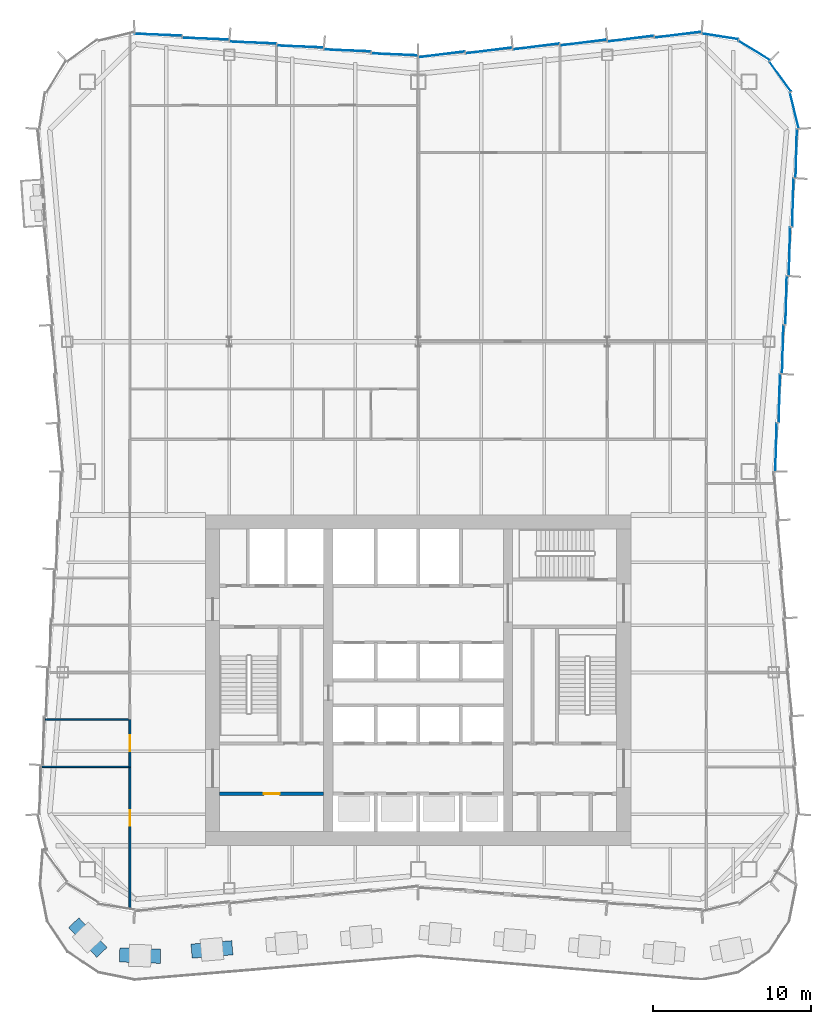
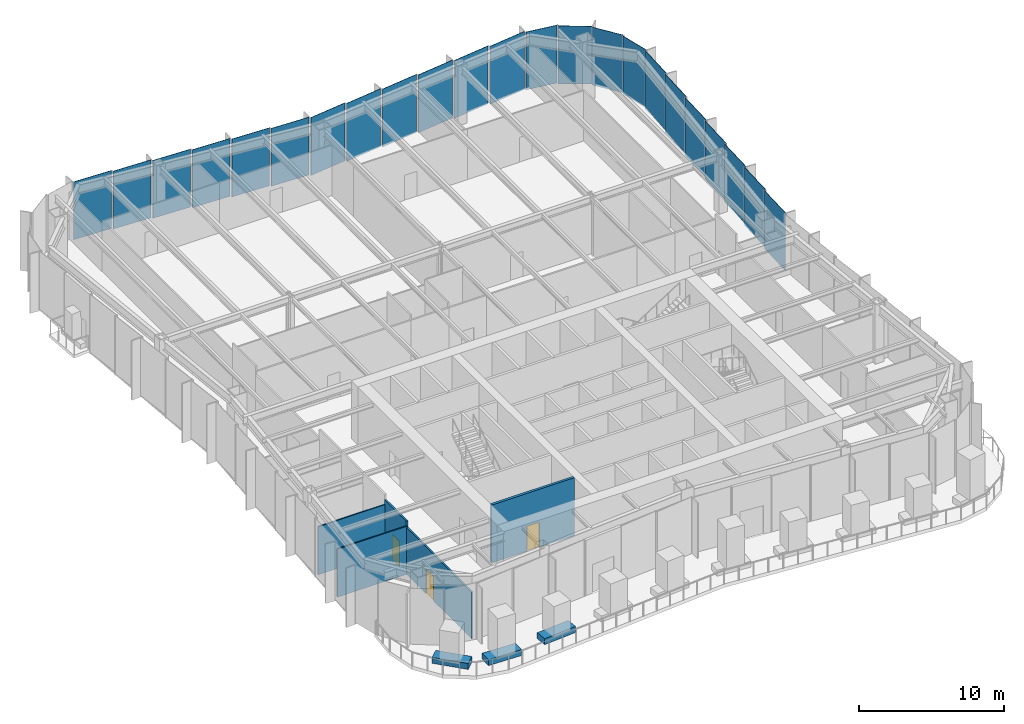
# One storey, part 8 of 16: 23 plates, 8 walls, 3 doors, 3 openings, 3 elements without a shape of their own.
"""IFC4 building model written with IfcOpenShell, lengths in metres."""

import ifcopenshell
import ifcopenshell.guid

model = None  # the IFC model being written
_history = None  # IfcOwnerHistory: only IFC2X3 demands one
_inside = {}  # id of a spatial element -> (the spatial element, [elements in it])
_under = {}  # id of a project, library or spatial element -> (it, [spatial elements below it])
_declared = {}  # id of a project -> (the project, [libraries it declares])
_typed = {}  # id of a type object -> (the type object, [elements of that type])
_made_of = {}  # id of a material, layer set ... -> (it, [elements and type objects made of it])


def new_model(schema):
    """Start an empty IFC model of exactly this schema.

    Asked for "IFC4X3", IfcOpenShell would pick the latest addendum, in which some entities
    have other attributes; the version numbers below select the first issue.
    IFC2X3 requires an IfcOwnerHistory on every rooted entity: one is made here for all.
    """
    global model, _history
    if schema == "IFC4X3":
        model = ifcopenshell.file(schema_version=(4, 3, 0, 0))
    else:
        model = ifcopenshell.file(schema=schema)
    _inside.clear()
    _under.clear()
    _declared.clear()
    _typed.clear()
    _made_of.clear()
    _history = None
    if model.schema == "IFC2X3":
        org = make("IfcOrganization", Name="unknown")
        user = make(
            "IfcPersonAndOrganization",
            ThePerson=make("IfcPerson", FamilyName="unknown"),
            TheOrganization=org,
        )
        app = make(
            "IfcApplication",
            ApplicationDeveloper=org,
            Version="unknown",
            ApplicationFullName="unknown",
            ApplicationIdentifier="unknown",
        )
        _history = make(
            "IfcOwnerHistory",
            OwningUser=user,
            OwningApplication=app,
            ChangeAction="ADDED",
            CreationDate=0,
        )
    return model


def make(cls, **values):
    """One entity of the class cls with the attributes given. An attribute that is None is left unset."""
    return model.create_entity(
        cls, **{name: value for name, value in values.items() if value is not None}
    )


def rooted(cls, **values):
    """An entity with a GlobalId (a new one), such as an element, a storey or a relation."""
    return make(cls, GlobalId=ifcopenshell.guid.new(), OwnerHistory=_history, **values)


def si_unit(unit_type, name, prefix=None):
    """IfcSIUnit, for example si_unit("LENGTHUNIT", "METRE", prefix="MILLI")."""
    return make("IfcSIUnit", UnitType=unit_type, Prefix=prefix, Name=name)


def assignment(units):
    """IfcUnitAssignment: the units of a project."""
    return None if units is None else make("IfcUnitAssignment", Units=units)


def point(xyz):
    """IfcCartesianPoint."""
    return None if xyz is None else make("IfcCartesianPoint", Coordinates=xyz)


def direction(xyz):
    """IfcDirection."""
    return None if xyz is None else make("IfcDirection", DirectionRatios=xyz)


def frame(location, z_axis=None, x_axis=None):
    """IfcAxis2Placement3D, a coordinate frame: its origin and axes. An axis left out is left unset."""
    return make(
        "IfcAxis2Placement3D",
        Location=point(location),
        Axis=direction(z_axis),
        RefDirection=direction(x_axis),
    )


def frame_2d(location, x_axis=None):
    """IfcAxis2Placement2D, a coordinate frame in the plane: its origin and x axis."""
    return make(
        "IfcAxis2Placement2D", Location=point(location), RefDirection=direction(x_axis)
    )


def origin():
    """The frame at (0, 0, 0) with its axes left unset."""
    return frame((0.0, 0.0, 0.0))


def origin_2d():
    """The frame at (0, 0) in the plane with its x axis left unset."""
    return frame_2d((0.0, 0.0))


def place(relative_to, where):
    """IfcLocalPlacement: puts the frame where relative to a parent placement (None: the world)."""
    return make(
        "IfcLocalPlacement", PlacementRelTo=relative_to, RelativePlacement=where
    )


def context(
    kind, dimensions, precision=None, world=None, true_north=None, identifier=None
):
    """IfcGeometricRepresentationContext, for example the 3D "Model" context."""
    return make(
        "IfcGeometricRepresentationContext",
        ContextIdentifier=identifier,
        ContextType=kind,
        CoordinateSpaceDimension=dimensions,
        Precision=precision,
        WorldCoordinateSystem=world,
        TrueNorth=true_north,
    )


def subcontext(parent, identifier, kind, view, scale=None):
    """IfcGeometricRepresentationSubContext, for example "Body" below "Model"."""
    return make(
        "IfcGeometricRepresentationSubContext",
        ContextIdentifier=identifier,
        ContextType=kind,
        ParentContext=parent,
        TargetScale=scale,
        TargetView=view,
    )


def project(units=None, contexts=None):
    """IfcProject with its units and contexts."""
    return rooted(
        "IfcProject",
        Name="project",
        RepresentationContexts=contexts,
        UnitsInContext=assignment(units),
    )


def spatial(cls, under=None, at=None, **own):
    """A site, building, storey or space (cls), placed at a placement, below another one or the project."""
    s = rooted(cls, ObjectPlacement=at, **own)
    if under is not None:
        _under.setdefault(under.id(), (under, []))[1].append(s)
    return s


def profile(cls, at=None, kind="AREA", **sizes):
    """A parametric profile (cls). Its sizes go by their IFC names, for example OverallWidth=200.0."""
    return make(cls, ProfileType=kind, Position=at, **sizes)


def rectangle(**sizes):
    """IfcRectangleProfileDef."""
    return profile("IfcRectangleProfileDef", **sizes)


def extrude(swept, where, along, depth):
    """IfcExtrudedAreaSolid: the profile swept, set in the frame where, extruded along a direction by depth."""
    return make(
        "IfcExtrudedAreaSolid",
        SweptArea=swept,
        Position=where,
        ExtrudedDirection=direction(along),
        Depth=depth,
    )


def shape(context_of_items, identifier, shape_type, items):
    """IfcShapeRepresentation: the items that make up one representation, for example the "Body"."""
    return make(
        "IfcShapeRepresentation",
        ContextOfItems=context_of_items,
        RepresentationIdentifier=identifier,
        RepresentationType=shape_type,
        Items=items,
    )


def material(Name=None, Category=None):
    """IfcMaterial."""
    return make("IfcMaterial", Name=Name, Category=Category)


def layer(
    of_material, thickness, ventilated=None, Name=None, Category=None, Priority=None
):
    """IfcMaterialLayer: one layer of a wall or slab, of a material (None: an air gap)."""
    return make(
        "IfcMaterialLayer",
        Material=of_material,
        LayerThickness=thickness,
        IsVentilated=ventilated,
        Name=Name,
        Category=Category,
        Priority=Priority,
    )


def layer_set(layers, Name=None):
    """IfcMaterialLayerSet."""
    return make("IfcMaterialLayerSet", MaterialLayers=layers, LayerSetName=Name)


def made_of(thing, what):
    """Note that an element or type object is made of a material, layer set ...; save() writes the relation."""
    if what is not None:
        _made_of.setdefault(what.id(), (what, []))[1].append(thing)
    return thing


def type_object(cls, material=None, **own):
    """A type object (cls), such as IfcWallType, which elements share."""
    return made_of(rooted(cls, **own), material)


def element(
    cls,
    number,
    at=None,
    inside=None,
    cuts=None,
    type_object=None,
    material=None,
    context=None,
    identifier="Body",
    shape_type=None,
    held_by="IfcProductDefinitionShape",
    body=None,
    shapes=None,
    **own,
):
    """One element of the class cls, such as IfcWall. Its Tag is "e" and its number.

    at: its placement. inside: the storey or other place that contains it. cuts: it is an
    opening in that element (IfcRelVoidsElement). A single representation is given by context,
    identifier, shape_type and body (its items); several are given by shapes. held_by: the class
    of the entity that holds the representations. save() writes the other relations.
    """
    e = rooted(cls, Tag="e%d" % number, ObjectPlacement=at, **own)
    if body is not None:
        shapes = [shape(context, identifier, shape_type, body)]
    if shapes is not None:
        e.Representation = make(held_by, Representations=shapes)
    if inside is not None:
        _inside.setdefault(inside.id(), (inside, []))[1].append(e)
    if cuts is not None:
        rooted(
            "IfcRelVoidsElement", RelatingBuildingElement=cuts, RelatedOpeningElement=e
        )
    if type_object is not None:
        _typed.setdefault(type_object.id(), (type_object, []))[1].append(e)
    return made_of(e, material)


def fill(opening, filler):
    """IfcRelFillsElement: the door or window that sits in an opening."""
    return rooted(
        "IfcRelFillsElement",
        RelatingOpeningElement=opening,
        RelatedBuildingElement=filler,
    )


def aggregate(whole, parts):
    """IfcRelAggregates: a whole, such as a stair, and the parts it consists of."""
    return rooted("IfcRelAggregates", RelatingObject=whole, RelatedObjects=parts)


def save(model, path):
    """Write the relations noted so far, then the file.

    IfcRelAggregates (storeys below a building ...), IfcRelContainedInSpatialStructure (elements
    in a storey), IfcRelDefinesByType, IfcRelAssociatesMaterial and IfcRelDeclares: one each for
    every whole, place, type object, material and project.
    """
    for whole, parts in _under.values():
        aggregate(whole, parts)
    for where, things in _inside.values():
        rooted(
            "IfcRelContainedInSpatialStructure",
            RelatedElements=things,
            RelatingStructure=where,
        )
    for kind, things in _typed.values():
        rooted("IfcRelDefinesByType", RelatedObjects=things, RelatingType=kind)
    for what, things in _made_of.values():
        rooted("IfcRelAssociatesMaterial", RelatedObjects=things, RelatingMaterial=what)
    for by, libraries in _declared.values():
        rooted("IfcRelDeclares", RelatingContext=by, RelatedDefinitions=libraries)
    model.write(path)


model = new_model("IFC4")

# Units and contexts
model_context = context("Model", 3, precision=1e-05, world=origin(), true_north=direction((0.0, 1.0)))
body_context = subcontext(model_context, "Body", "Model", "MODEL_VIEW")
ifc_project = project(units=[si_unit("LENGTHUNIT", "METRE"), si_unit("AREAUNIT", "SQUARE_METRE"), si_unit("VOLUMEUNIT", "CUBIC_METRE"), si_unit("PLANEANGLEUNIT", "RADIAN"), si_unit("MASSUNIT", "GRAM", prefix="KILO")], contexts=[model_context])

# Site, building, storey
site_placement = place(None, origin())
site = spatial("IfcSite", under=ifc_project, at=site_placement, CompositionType="ELEMENT")
building_placement = place(site_placement, origin())
building = spatial("IfcBuilding", under=site, at=building_placement, Name="Verdant Reach Tower", CompositionType="ELEMENT")
storey_placement = place(building_placement, frame((0.0, 0.0, 177.0)))
storey = spatial("IfcBuildingStorey", under=building, at=storey_placement, Name="L40", CompositionType="ELEMENT", Elevation=177.0)

# Curtain wall, plates
ifc_material_1 = material(Name="Anodised aluminium", Category="aluminium")
curtain_wall_type = type_object("IfcCurtainWallType", Name="EN-CW SYSTEM Z3", PredefinedType="NOTDEFINED", material=ifc_material_1)
curtain_wall_1_placement = place(storey_placement, origin())
curtain_wall_1 = element("IfcCurtainWall", 1, at=curtain_wall_1_placement, inside=storey, type_object=curtain_wall_type, Name="Curtain wall east, L40", PredefinedType="NOTDEFINED")
ifc_material_2 = material(Name="Tinted glass with champagne spandrel", Category="glass")
ifc_layer_1 = layer(ifc_material_2, 0.031982421875)
ifc_layer_set_1 = layer_set([ifc_layer_1], Name="EN-PANEL CHAMPAGNE")
plate_type_1 = type_object("IfcPlateType", Name="EN-PANEL CHAMPAGNE", PredefinedType="CURTAIN_PANEL", material=ifc_layer_set_1)
plate_1_placement = place(storey_placement, frame((22.716064453125, 42.7998046875, -0.22412109375), z_axis=(0.0, 0.0, 1.0), x_axis=(0.027048420339, 0.999634124546, 0.0)))
plate_1 = element("IfcPlate", 2, at=plate_1_placement, type_object=plate_type_1, Name="Glass panel east face part 2 1.1, L40", PredefinedType="CURTAIN_PANEL", context=body_context, shape_type="SweptSolid", body=[
    extrude(rectangle(XDim=3.044921875, YDim=0.031982421875, at=origin_2d()), origin(), (0.0, 0.0, 1.0), 4.8740234375),
])
plate_2_placement = place(storey_placement, frame((22.93017578125, 45.9033203125, -0.22412109375), z_axis=(0.0, 0.0, 1.0), x_axis=(0.026965318308, 0.999636369691, 0.0)))
plate_2 = element("IfcPlate", 3, at=plate_2_placement, type_object=plate_type_1, Name="Glass panel east face part 2 2.1, L40", PredefinedType="CURTAIN_PANEL", context=body_context, shape_type="SweptSolid", body=[
    extrude(rectangle(XDim=3.052490234375, YDim=0.031982421875, at=origin_2d()), origin(), (0.0, 0.0, 1.0), 4.8740234375),
])
plate_3_placement = place(storey_placement, frame((23.14453125, 49.01025390625, -0.22412109375), z_axis=(0.0, 0.0, 1.0), x_axis=(0.026965318308, 0.999636369691, 0.0)))
plate_3 = element("IfcPlate", 4, at=plate_3_placement, type_object=plate_type_1, Name="Glass panel east face part 2 3.1, L40", PredefinedType="CURTAIN_PANEL", context=body_context, shape_type="SweptSolid", body=[
    extrude(rectangle(XDim=3.052490234375, YDim=0.031982421875, at=origin_2d()), origin(), (0.0, 0.0, 1.0), 4.8740234375),
])

# Curtain wall, plate
curtain_wall_2_placement = place(storey_placement, origin())
curtain_wall_2 = element("IfcCurtainWall", 5, at=curtain_wall_2_placement, inside=storey, type_object=curtain_wall_type, Name="Curtain wall north-east corner, L40", PredefinedType="NOTDEFINED")
plate_4_placement = place(storey_placement, frame((23.87646484375, 64.17236328125, -0.22412109375), z_axis=(0.0, 0.0, 1.0), x_axis=(-0.23644624331, 0.97164457186, 0.0)))
plate_4 = element("IfcPlate", 6, at=plate_4_placement, type_object=plate_type_1, Name="Glass panel north-east corner 1.1, L40", PredefinedType="CURTAIN_PANEL", context=body_context, shape_type="SweptSolid", body=[
    extrude(rectangle(XDim=2.314697265625, YDim=0.031982421875, at=origin_2d()), origin(), (0.0, 0.0, 1.0), 4.8740234375),
])

# Curtain wall, plates
curtain_wall_3_placement = place(storey_placement, origin())
curtain_wall_3 = element("IfcCurtainWall", 7, at=curtain_wall_3_placement, inside=storey, type_object=curtain_wall_type, Name="Curtain wall north, L40", PredefinedType="NOTDEFINED")
plate_5_placement = place(storey_placement, frame((4.490966796875, 67.983642578125, -0.22412109375), z_axis=(0.0, 0.0, 1.0), x_axis=(-0.992194034542, -0.124703639961, 0.0)))
plate_5 = element("IfcPlate", 8, at=plate_5_placement, type_object=plate_type_1, Name="Glass panel north face part 1 5.1, L40", PredefinedType="CURTAIN_PANEL", context=body_context, shape_type="SweptSolid", body=[
    extrude(rectangle(XDim=2.948486328125, YDim=0.031982421875, at=origin_2d()), origin(), (0.0, 0.0, 1.0), 4.8740234375),
])
plate_6_placement = place(storey_placement, frame((1.495361328125, 67.73388671875, -0.22412109375), z_axis=(0.0, 0.0, 1.0), x_axis=(-0.992178382939, -0.124828107529, 0.0)))
plate_6 = element("IfcPlate", 9, at=plate_6_placement, type_object=plate_type_1, Name="Glass panel north face part 1 6.1, L40", PredefinedType="CURTAIN_PANEL", context=body_context, shape_type="SweptSolid", body=[
    extrude(rectangle(XDim=2.939453125, YDim=0.031982421875, at=origin_2d()), origin(), (0.0, 0.0, 1.0), 4.8740234375),
])
plate_7_placement = place(storey_placement, frame((-1.495361328125, 67.73388671875, -0.22412109375), z_axis=(0.0, 0.0, 1.0), x_axis=(-0.999144020525, 0.041366970501, 0.0)))
plate_7 = element("IfcPlate", 10, at=plate_7_placement, type_object=plate_type_1, Name="Glass panel north face part 2 1.1, L40", PredefinedType="CURTAIN_PANEL", context=body_context, shape_type="SweptSolid", body=[
    extrude(rectangle(XDim=2.939453125, YDim=0.031982421875, at=origin_2d()), origin(), (0.0, 0.0, 1.0), 4.8740234375),
])

# Plate
ifc_material_3 = material(Name="Tinted glass with copper spandrel", Category="glass")
ifc_layer_2 = layer(ifc_material_3, 0.031982421875)
ifc_layer_set_2 = layer_set([ifc_layer_2], Name="EN-PANEL COPPER")
plate_type_2 = type_object("IfcPlateType", Name="EN-PANEL COPPER", PredefinedType="CURTAIN_PANEL", material=ifc_layer_set_2)
plate_8_placement = place(storey_placement, frame((23.358642578125, 52.117431640625, -0.22412109375), z_axis=(0.0, 0.0, 1.0), x_axis=(0.026965318308, 0.999636369691, 0.0)))
plate_8 = element("IfcPlate", 11, at=plate_8_placement, type_object=plate_type_2, Name="Glass panel east face part 2 4.1, L40", PredefinedType="CURTAIN_PANEL", context=body_context, shape_type="SweptSolid", body=[
    extrude(rectangle(XDim=3.052490234375, YDim=0.031982421875, at=origin_2d()), origin(), (0.0, 0.0, 1.0), 4.8740234375),
])

plate_9_placement = place(storey_placement, frame((23.572998046875, 55.224609375, -0.22412109375), z_axis=(0.0, 0.0, 1.0), x_axis=(0.026965318308, 0.999636369691, 0.0)))
plate_9 = element("IfcPlate", 12, at=plate_9_placement, type_object=plate_type_2, Name="Glass panel east face part 2 5.1, L40", PredefinedType="CURTAIN_PANEL", context=body_context, shape_type="SweptSolid", body=[
    extrude(rectangle(XDim=3.052490234375, YDim=0.031982421875, at=origin_2d()), origin(), (0.0, 0.0, 1.0), 4.8740234375),
])

plate_10_placement = place(storey_placement, frame((22.98193359375, 66.328857421875, -0.22412109375), z_axis=(0.0, 0.0, 1.0), x_axis=(-0.589926747542, 0.807456768214, 0.0)))
plate_10 = element("IfcPlate", 13, at=plate_10_placement, type_object=plate_type_2, Name="Glass panel north-east corner 2.1, L40", PredefinedType="CURTAIN_PANEL", context=body_context, shape_type="SweptSolid", body=[
    extrude(rectangle(XDim=2.321533203125, YDim=0.031982421875, at=origin_2d()), origin(), (0.0, 0.0, 1.0), 4.8740234375),
])

plate_11_placement = place(storey_placement, frame((21.328857421875, 67.98193359375, -0.22412109375), z_axis=(0.0, 0.0, 1.0), x_axis=(-0.853988701636, 0.520291550457, 0.0)))
plate_11 = element("IfcPlate", 14, at=plate_11_placement, type_object=plate_type_2, Name="Glass panel north-east corner 3.1, L40", PredefinedType="CURTAIN_PANEL", context=body_context, shape_type="SweptSolid", body=[
    extrude(rectangle(XDim=2.321533203125, YDim=0.031982421875, at=origin_2d()), origin(), (0.0, 0.0, 1.0), 4.8740234375),
])

plate_12_placement = place(storey_placement, frame((19.171875, 68.87646484375, -0.22412109375), z_axis=(0.0, 0.0, 1.0), x_axis=(-0.988029071555, 0.154267798848, 0.0)))
plate_12 = element("IfcPlate", 15, at=plate_12_placement, type_object=plate_type_2, Name="Glass panel north-east corner 4.1, L40", PredefinedType="CURTAIN_PANEL", context=body_context, shape_type="SweptSolid", body=[
    extrude(rectangle(XDim=2.3154296875, YDim=0.031982421875, at=origin_2d()), origin(), (0.0, 0.0, 1.0), 4.8740234375),
])

aggregate(curtain_wall_2, [plate_4, plate_10, plate_11, plate_12])

plate_13_placement = place(storey_placement, frame((16.49853515625, 68.983642578125, -0.22412109375), z_axis=(0.0, 0.0, 1.0), x_axis=(-0.992237766434, -0.124355196363, 0.0)))
plate_13 = element("IfcPlate", 16, at=plate_13_placement, type_object=plate_type_2, Name="Glass panel north face part 1 1.1, L40", PredefinedType="CURTAIN_PANEL", context=body_context, shape_type="SweptSolid", body=[
    extrude(rectangle(XDim=2.963623046875, YDim=0.031982421875, at=origin_2d()), origin(), (0.0, 0.0, 1.0), 4.8740234375),
])

plate_14_placement = place(storey_placement, frame((13.490966796875, 68.733642578125, -0.22412109375), z_axis=(0.0, 0.0, 1.0), x_axis=(-0.992194034542, -0.124703639961, 0.0)))
plate_14 = element("IfcPlate", 17, at=plate_14_placement, type_object=plate_type_2, Name="Glass panel north face part 1 2.1, L40", PredefinedType="CURTAIN_PANEL", context=body_context, shape_type="SweptSolid", body=[
    extrude(rectangle(XDim=2.948486328125, YDim=0.031982421875, at=origin_2d()), origin(), (0.0, 0.0, 1.0), 4.8740234375),
])

plate_15_placement = place(storey_placement, frame((-4.490966796875, 67.983642578125, -0.22412109375), z_axis=(0.0, 0.0, 1.0), x_axis=(-0.999149202059, 0.041241629766, 0.0)))
plate_15 = element("IfcPlate", 18, at=plate_15_placement, type_object=plate_type_2, Name="Glass panel north face part 2 2.1, L40", PredefinedType="CURTAIN_PANEL", context=body_context, shape_type="SweptSolid", body=[
    extrude(rectangle(XDim=2.948486328125, YDim=0.031982421875, at=origin_2d()), origin(), (0.0, 0.0, 1.0), 4.8740234375),
])

plate_16_placement = place(storey_placement, frame((-7.490966796875, 68.233642578125, -0.22412109375), z_axis=(0.0, 0.0, 1.0), x_axis=(-0.999149202059, 0.041241629766, 0.0)))
plate_16 = element("IfcPlate", 19, at=plate_16_placement, type_object=plate_type_2, Name="Glass panel north face part 2 3.1, L40", PredefinedType="CURTAIN_PANEL", context=body_context, shape_type="SweptSolid", body=[
    extrude(rectangle(XDim=2.948486328125, YDim=0.031982421875, at=origin_2d()), origin(), (0.0, 0.0, 1.0), 4.8740234375),
])

ifc_material_4 = material(Name="Tinted glass with dark bronze spandrel", Category="glass")
ifc_layer_3 = layer(ifc_material_4, 0.031982421875)
ifc_layer_set_3 = layer_set([ifc_layer_3], Name="EN-PANEL DARK")
plate_type_3 = type_object("IfcPlateType", Name="EN-PANEL DARK", PredefinedType="CURTAIN_PANEL", material=ifc_layer_set_3)
plate_17_placement = place(storey_placement, frame((23.787353515625, 58.331787109375, -0.22412109375), z_axis=(0.0, 0.0, 1.0), x_axis=(0.026965318308, 0.999636369691, 0.0)))
plate_17 = element("IfcPlate", 20, at=plate_17_placement, type_object=plate_type_3, Name="Glass panel east face part 2 6.1, L40", PredefinedType="CURTAIN_PANEL", context=body_context, shape_type="SweptSolid", body=[
    extrude(rectangle(XDim=3.052490234375, YDim=0.031982421875, at=origin_2d()), origin(), (0.0, 0.0, 1.0), 4.8740234375),
])

plate_18_placement = place(storey_placement, frame((24.001708984375, 61.446044921875, -0.22412109375), z_axis=(0.0, 0.0, 1.0), x_axis=(0.026659626966, 0.999644568979, 0.0)))
plate_18 = element("IfcPlate", 21, at=plate_18_placement, type_object=plate_type_3, Name="Glass panel east face part 2 7.1, L40", PredefinedType="CURTAIN_PANEL", context=body_context, shape_type="SweptSolid", body=[
    extrude(rectangle(XDim=3.06689453125, YDim=0.031982421875, at=origin_2d()), origin(), (0.0, 0.0, 1.0), 4.8740234375),
])

aggregate(curtain_wall_1, [plate_1, plate_2, plate_3, plate_8, plate_9, plate_17, plate_18])

plate_19_placement = place(storey_placement, frame((10.490966796875, 68.483642578125, -0.22412109375), z_axis=(0.0, 0.0, 1.0), x_axis=(-0.992194034542, -0.124703639961, 0.0)))
plate_19 = element("IfcPlate", 22, at=plate_19_placement, type_object=plate_type_3, Name="Glass panel north face part 1 3.1, L40", PredefinedType="CURTAIN_PANEL", context=body_context, shape_type="SweptSolid", body=[
    extrude(rectangle(XDim=2.948486328125, YDim=0.031982421875, at=origin_2d()), origin(), (0.0, 0.0, 1.0), 4.8740234375),
])

plate_20_placement = place(storey_placement, frame((7.490966796875, 68.233642578125, -0.22412109375), z_axis=(0.0, 0.0, 1.0), x_axis=(-0.992194034542, -0.124703639961, 0.0)))
plate_20 = element("IfcPlate", 23, at=plate_20_placement, type_object=plate_type_3, Name="Glass panel north face part 1 4.1, L40", PredefinedType="CURTAIN_PANEL", context=body_context, shape_type="SweptSolid", body=[
    extrude(rectangle(XDim=2.948486328125, YDim=0.031982421875, at=origin_2d()), origin(), (0.0, 0.0, 1.0), 4.8740234375),
])

plate_21_placement = place(storey_placement, frame((-10.490966796875, 68.483642578125, -0.22412109375), z_axis=(0.0, 0.0, 1.0), x_axis=(-0.999149202059, 0.041241629766, 0.0)))
plate_21 = element("IfcPlate", 24, at=plate_21_placement, type_object=plate_type_3, Name="Glass panel north face part 2 4.1, L40", PredefinedType="CURTAIN_PANEL", context=body_context, shape_type="SweptSolid", body=[
    extrude(rectangle(XDim=2.948486328125, YDim=0.031982421875, at=origin_2d()), origin(), (0.0, 0.0, 1.0), 4.8740234375),
])

plate_22_placement = place(storey_placement, frame((-13.490966796875, 68.733642578125, -0.22412109375), z_axis=(0.0, 0.0, 1.0), x_axis=(-0.999149202059, 0.041241629766, 0.0)))
plate_22 = element("IfcPlate", 25, at=plate_22_placement, type_object=plate_type_3, Name="Glass panel north face part 2 5.1, L40", PredefinedType="CURTAIN_PANEL", context=body_context, shape_type="SweptSolid", body=[
    extrude(rectangle(XDim=2.948486328125, YDim=0.031982421875, at=origin_2d()), origin(), (0.0, 0.0, 1.0), 4.8740234375),
])

plate_23_placement = place(storey_placement, frame((-16.49853515625, 68.983642578125, -0.22412109375), z_axis=(0.0, 0.0, 1.0), x_axis=(-0.999163623568, 0.040890748818, 0.0)))
plate_23 = element("IfcPlate", 26, at=plate_23_placement, type_object=plate_type_3, Name="Glass panel north face part 2 6.1, L40", PredefinedType="CURTAIN_PANEL", context=body_context, shape_type="SweptSolid", body=[
    extrude(rectangle(XDim=2.963623046875, YDim=0.031982421875, at=origin_2d()), origin(), (0.0, 0.0, 1.0), 4.8740234375),
])

aggregate(curtain_wall_3, [plate_13, plate_14, plate_19, plate_20, plate_5, plate_6, plate_7, plate_15, plate_16, plate_21, plate_22, plate_23])

# Wall, opening, door
ifc_material_5 = material(Name="Gypsum board on steel studs", Category="steel")
ifc_layer_4 = layer(ifc_material_5, 0.199951171875)
ifc_layer_set_4 = layer_set([ifc_layer_4], Name="CO-WALL-ROOM")
wall_type_1 = type_object("IfcWallType", Name="CO-WALL-ROOM", PredefinedType="PARTITIONING", material=ifc_layer_set_4)
wall_1_placement = place(storey_placement, frame((-12.60009765625, 20.800048828125, 0.0), z_axis=(0.0, 0.0, 1.0), x_axis=(1.0, 0.0, 0.0)))
wall_1 = element("IfcWall", 27, at=wall_1_placement, inside=storey, type_object=wall_type_1, Name="Core partition, L40", PredefinedType="PARTITIONING", context=body_context, shape_type="SweptSolid", body=[
    extrude(rectangle(XDim=6.60009765625, YDim=0.199951171875, at=frame_2d((3.300048828125, 0.0))), origin(), (0.0, 0.0, 1.0), 4.8701171875),
])
opening_1_placement = place(wall_1_placement, frame((2.800048828125, 0.0, 0.0)))
opening_1 = element("IfcOpeningElement", 28, at=opening_1_placement, cuts=wall_1, Name="Opening CD", PredefinedType="OPENING", context=body_context, shape_type="SweptSolid", body=[
    extrude(rectangle(XDim=1.0, YDim=2.10009765625, at=frame_2d((0.5, 1.050048828125))), frame((0.0, 0.10986328125, 0.0), z_axis=(0.0, -1.0, 0.0), x_axis=(1.0, 0.0, 0.0)), (0.0, 0.0, 1.0), 0.219970703125),
])
ifc_material_6 = material(Name="Timber", Category="wood")
door_type_1 = type_object("IfcDoorType", Name="CO-DOOR-ROOM", OperationType="NOTDEFINED", PredefinedType="DOOR", material=ifc_material_6)
door_1_placement = place(opening_1_placement, origin())
door_1 = element("IfcDoor", 29, at=door_1_placement, inside=storey, type_object=door_type_1, Name="Core room door, L40", OperationType="SINGLE_SWING_LEFT", OverallHeight=2.10009765625, OverallWidth=1.0, PredefinedType="DOOR", context=body_context, shape_type="SweptSolid", body=[
    extrude(rectangle(XDim=1.0, YDim=2.10009765625, at=frame_2d((0.5, 1.050048828125))), frame((0.0, 0.02490234375, 0.0), z_axis=(0.0, -1.0, 0.0), x_axis=(1.0, 0.0, 0.0)), (0.0, 0.0, 1.0), 0.050048828125),
])
fill(opening_1, door_1)

# Walls
ifc_material_7 = material(Name="Precast concrete C30/37", Category="concrete")
ifc_layer_5 = layer(ifc_material_7, 0.89990234375)
ifc_layer_set_5 = layer_set([ifc_layer_5], Name="EN-PLANTER TERRACE")
wall_type_2 = type_object("IfcWallType", Name="EN-PLANTER TERRACE", PredefinedType="USERDEFINED", material=ifc_layer_set_5)
wall_2_placement = place(storey_placement, frame((-11.798095703125, 11.02197265625, 0.0), z_axis=(0.0, 0.0, 1.0), x_axis=(-0.99654899538, -0.083006625075, 0.0)))
element("IfcWall", 30, at=wall_2_placement, inside=storey, type_object=wall_type_2, Name="Terrace planter 8, L40", ObjectType="PLANTER", PredefinedType="USERDEFINED", context=body_context, shape_type="SweptSolid", body=[
    extrude(rectangle(XDim=2.60009765625, YDim=0.89990234375, at=frame_2d((1.300048828125, 0.0))), origin(), (0.0, 0.0, 1.0), 0.5),
])
wall_3_placement = place(storey_placement, frame((-16.360595703125, 10.4794921875, 0.0), z_axis=(0.0, 0.0, 1.0), x_axis=(-0.999431591754, 0.033711917828, 0.0)))
element("IfcWall", 31, at=wall_3_placement, inside=storey, type_object=wall_type_2, Name="Terrace planter 9, L40", ObjectType="PLANTER", PredefinedType="USERDEFINED", context=body_context, shape_type="SweptSolid", body=[
    extrude(rectangle(XDim=2.599853515625, YDim=0.89990234375, at=frame_2d((1.2998046875, 0.0))), origin(), (0.0, 0.0, 1.0), 0.5),
])
wall_4_placement = place(storey_placement, frame((-20.08056640625, 10.724365234375, 0.0), z_axis=(0.0, 0.0, 1.0), x_axis=(-0.687257444479, 0.726413935031, 0.0)))
element("IfcWall", 32, at=wall_4_placement, inside=storey, type_object=wall_type_2, Name="Terrace planter 10, L40", ObjectType="PLANTER", PredefinedType="USERDEFINED", context=body_context, shape_type="SweptSolid", body=[
    extrude(rectangle(XDim=2.60009765625, YDim=0.89990234375, at=frame_2d((1.300048828125, 0.0))), origin(), (0.0, 0.0, 1.0), 0.5),
])
ifc_layer_6 = layer(ifc_material_5, 0.10009765625)
ifc_layer_set_6 = layer_set([ifc_layer_6], Name="FL-W1 Partition 100")
wall_type_3 = type_object("IfcWallType", Name="FL-W1 Partition 100", PredefinedType="PARTITIONING", material=ifc_layer_set_6)
wall_5_placement = place(storey_placement, frame((-18.300048828125, 22.5, 0.0), z_axis=(0.0, 0.0, 1.0), x_axis=(-1.0, 0.0, 0.0)))
element("IfcWall", 33, at=wall_5_placement, inside=storey, type_object=wall_type_3, Name="Partition 40.44", PredefinedType="PARTITIONING", context=body_context, shape_type="SweptSolid", body=[
    extrude(rectangle(XDim=5.572998046875, YDim=0.10009765625, at=frame_2d((2.78662109375, 0.0))), origin(), (0.0, 0.0, 1.0), 4.0400390625),
])
wall_6_placement = place(storey_placement, frame((-18.300048828125, 25.5, 0.0), z_axis=(0.0, 0.0, 1.0), x_axis=(-1.0, 0.0, 0.0)))
element("IfcWall", 34, at=wall_6_placement, inside=storey, type_object=wall_type_3, Name="Partition 40.45", PredefinedType="PARTITIONING", context=body_context, shape_type="SweptSolid", body=[
    extrude(rectangle(XDim=5.3662109375, YDim=0.10009765625, at=frame_2d((2.68310546875, 0.0))), origin(), (0.0, 0.0, 1.0), 4.0400390625),
])

# Wall, opening, door
ifc_material_8 = material(Name="Gypsum board on steel studs, fire rated", Category="steel")
ifc_layer_7 = layer(ifc_material_8, 0.125)
ifc_layer_set_7 = layer_set([ifc_layer_7], Name="FL-W2 Corridor wall 125")
wall_type_4 = type_object("IfcWallType", Name="FL-W2 Corridor wall 125", PredefinedType="PARTITIONING", material=ifc_layer_set_7)
wall_7_placement = place(storey_placement, frame((-18.300048828125, 13.479736328125, 0.0), z_axis=(0.0, 0.0, 1.0), x_axis=(0.0, 1.0, 0.0)))
wall_7 = element("IfcWall", 35, at=wall_7_placement, inside=storey, type_object=wall_type_4, Name="Partition 40.07", PredefinedType="PARTITIONING", context=body_context, shape_type="SweptSolid", body=[
    extrude(rectangle(XDim=9.020263671875, YDim=0.125, at=frame_2d((4.51025390625, 0.0))), origin(), (0.0, 0.0, 1.0), 3.929931640625),
])
opening_2_placement = place(wall_7_placement, frame((5.275634765625, 0.0, 0.0)))
opening_2 = element("IfcOpeningElement", 36, at=opening_2_placement, cuts=wall_7, Name="Opening D2", PredefinedType="OPENING", context=body_context, shape_type="SweptSolid", body=[
    extrude(rectangle(XDim=1.0, YDim=2.10009765625, at=frame_2d((0.5, 1.050048828125))), frame((0.0, 0.072509765625, 0.0), z_axis=(0.0, -1.0, 0.0), x_axis=(1.0, 0.0, 0.0)), (0.0, 0.0, 1.0), 0.14501953125),
])
ifc_material_9 = material(Name="Timber door leaf, fire rated", Category="wood")
door_type_2 = type_object("IfcDoorType", Name="FL-D2 Entrance door 1000x2100 FD30", OperationType="NOTDEFINED", PredefinedType="DOOR", material=ifc_material_9)
door_2_placement = place(opening_2_placement, origin())
door_2 = element("IfcDoor", 37, at=door_2_placement, inside=storey, type_object=door_type_2, Name="Door 40-005", OperationType="SINGLE_SWING_RIGHT", OverallHeight=2.10009765625, OverallWidth=1.0, PredefinedType="DOOR", context=body_context, shape_type="SweptSolid", body=[
    extrude(rectangle(XDim=1.0, YDim=2.10009765625, at=frame_2d((0.5, 1.050048828125))), frame((0.0, 0.02490234375, 0.0), z_axis=(0.0, -1.0, 0.0), x_axis=(1.0, 0.0, 0.0)), (0.0, 0.0, 1.0), 0.050048828125),
])
fill(opening_2, door_2)

wall_8_placement = place(storey_placement, frame((-18.300048828125, 22.5, 0.0), z_axis=(0.0, 0.0, 1.0), x_axis=(0.0, 1.0, 0.0)))
wall_8 = element("IfcWall", 38, at=wall_8_placement, inside=storey, type_object=wall_type_4, Name="Partition 40.08", PredefinedType="PARTITIONING", context=body_context, shape_type="SweptSolid", body=[
    extrude(rectangle(XDim=3.0, YDim=0.125, at=frame_2d((1.5, 0.0))), origin(), (0.0, 0.0, 1.0), 4.43994140625),
])
opening_3_placement = place(wall_8_placement, frame((1.0, 0.0, 0.0)))
opening_3 = element("IfcOpeningElement", 39, at=opening_3_placement, cuts=wall_8, Name="Opening D2", PredefinedType="OPENING", context=body_context, shape_type="SweptSolid", body=[
    extrude(rectangle(XDim=1.0, YDim=2.10009765625, at=frame_2d((0.5, 1.050048828125))), frame((0.0, 0.072509765625, 0.0), z_axis=(0.0, -1.0, 0.0), x_axis=(1.0, 0.0, 0.0)), (0.0, 0.0, 1.0), 0.14501953125),
])
door_3_placement = place(opening_3_placement, origin())
door_3 = element("IfcDoor", 40, at=door_3_placement, inside=storey, type_object=door_type_2, Name="Door 40-006", OperationType="SINGLE_SWING_RIGHT", OverallHeight=2.10009765625, OverallWidth=1.0, PredefinedType="DOOR", context=body_context, shape_type="SweptSolid", body=[
    extrude(rectangle(XDim=1.0, YDim=2.10009765625, at=frame_2d((0.5, 1.050048828125))), frame((0.0, 0.02490234375, 0.0), z_axis=(0.0, -1.0, 0.0), x_axis=(1.0, 0.0, 0.0)), (0.0, 0.0, 1.0), 0.050048828125),
])
fill(opening_3, door_3)

save(model, "model.ifc")
